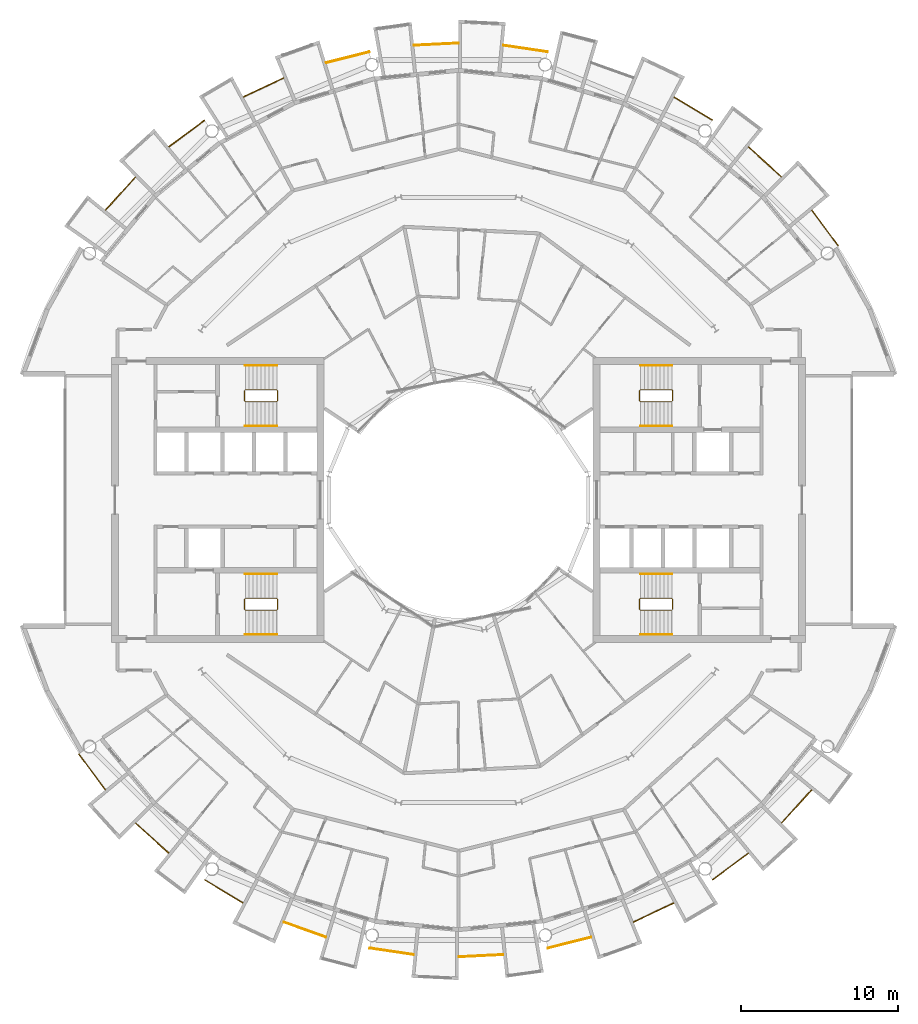
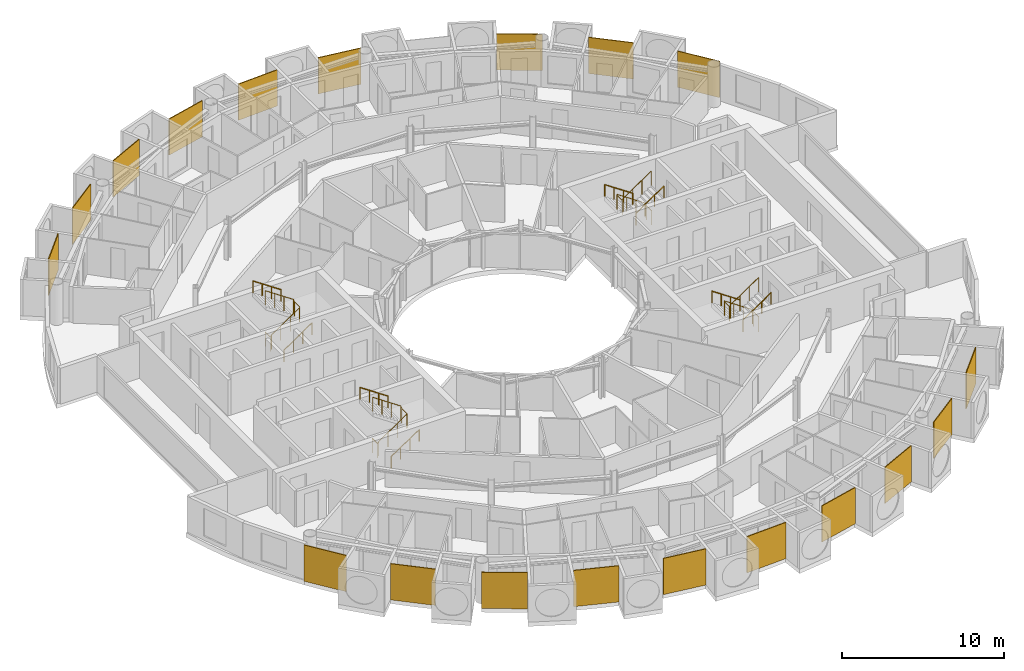
# One storey, part 28 of 29: 31 railings.
"""IFC4 building model written with IfcOpenShell, lengths in metres."""

from ifc_helpers import new_model, si_unit, direction, frame, origin, origin_2d, place, context, subcontext, project, spatial, polyline, circle, outline, extrude, material, layer, layer_set, type_object, element, save


model = new_model("IFC4")

# Units and contexts
model_context = context("Model", 3, precision=1e-05, world=origin(), true_north=direction((0.0, 1.0)))
body_context = subcontext(model_context, "Body", "Model", "MODEL_VIEW")
ifc_project = project(units=[si_unit("LENGTHUNIT", "METRE"), si_unit("AREAUNIT", "SQUARE_METRE"), si_unit("VOLUMEUNIT", "CUBIC_METRE"), si_unit("PLANEANGLEUNIT", "RADIAN"), si_unit("MASSUNIT", "GRAM", prefix="KILO")], contexts=[model_context])

# Site, building, storey
site_placement = place(None, origin())
site = spatial("IfcSite", under=ifc_project, at=site_placement, CompositionType="ELEMENT")
building_placement = place(site_placement, origin())
building = spatial("IfcBuilding", under=site, at=building_placement, Name="Maasbend Ring Residences", CompositionType="ELEMENT")
storey_placement = place(building_placement, frame((0.0, 0.0, 193.25)))
storey = spatial("IfcBuildingStorey", under=building, at=storey_placement, Name="L55", CompositionType="ELEMENT", Elevation=193.25)

# Railings
ifc_material_1 = material(Name="Pale anodised perforated aluminium", Category="aluminium")
ifc_layer = layer(ifc_material_1, 0.06005859375)
ifc_layer_set = layer_set([ifc_layer], Name="SCREEN-P")
railing_type_1 = type_object("IfcRailingType", Name="SCREEN-P", PredefinedType="GUARDRAIL", material=ifc_layer_set)
railing_1_placement = place(storey_placement, frame((0.0, 0.0, -0.030029296875)))
element("IfcRailing", 1, at=railing_1_placement, inside=storey, type_object=railing_type_1, Name="Perforated screen guard 1", PredefinedType="GUARDRAIL", context=body_context, shape_type="SweptSolid", body=[
    extrude(outline(polyline([(24.113037109375, 16.112060546875), (22.4169921875, 18.39697265625), (22.465087890625, 18.43310546875), (24.160888671875, 16.14697265625), (24.113037109375, 16.112060546875)])), origin(), (0.0, 0.0, 1.0), 2.72998046875),
])
railing_2_placement = place(storey_placement, frame((0.0, 0.0, -0.030029296875)))
element("IfcRailing", 2, at=railing_2_placement, inside=storey, type_object=railing_type_1, Name="Perforated screen guard 2", PredefinedType="GUARDRAIL", context=body_context, shape_type="SweptSolid", body=[
    extrude(outline(polyline([(20.506103515625, 20.506103515625), (18.39697265625, 22.4169921875), (18.43798828125, 22.4619140625), (20.5458984375, 20.551025390625), (20.506103515625, 20.506103515625)])), origin(), (0.0, 0.0, 1.0), 2.72998046875),
])
railing_3_placement = place(storey_placement, frame((0.0, 0.0, -0.030029296875)))
element("IfcRailing", 3, at=railing_3_placement, inside=storey, type_object=railing_type_1, Name="Perforated screen guard 3", PredefinedType="GUARDRAIL", context=body_context, shape_type="SweptSolid", body=[
    extrude(outline(polyline([(16.112060546875, 24.113037109375), (13.6708984375, 25.575927734375), (13.700927734375, 25.626953125), (16.14208984375, 24.1640625), (16.112060546875, 24.113037109375)])), origin(), (0.0, 0.0, 1.0), 2.72998046875),
])
railing_4_placement = place(storey_placement, frame((0.0, 0.0, -0.030029296875)))
element("IfcRailing", 4, at=railing_4_placement, inside=storey, type_object=railing_type_1, Name="Perforated screen guard 5", PredefinedType="GUARDRAIL", context=body_context, shape_type="SweptSolid", body=[
    extrude(outline(polyline([(5.657958984375, 28.443115234375), (2.842041015625, 28.860107421875), (2.85107421875, 28.919921875), (5.666015625, 28.501953125), (5.657958984375, 28.443115234375)])), origin(), (0.0, 0.0, 1.0), 2.72998046875),
])
railing_5_placement = place(storey_placement, frame((0.0, 0.0, -0.030029296875)))
element("IfcRailing", 5, at=railing_5_placement, inside=storey, type_object=railing_type_1, Name="Perforated screen guard 6", PredefinedType="GUARDRAIL", context=body_context, shape_type="SweptSolid", body=[
    extrude(outline(polyline([(0.0, 29.0), (-2.842041015625, 28.860107421875), (-2.844970703125, 28.919921875), (-0.0029296875, 29.06005859375), (0.0, 29.0)])), origin(), (0.0, 0.0, 1.0), 2.72998046875),
])
railing_6_placement = place(storey_placement, frame((0.0, 0.0, -0.030029296875)))
element("IfcRailing", 6, at=railing_6_placement, inside=storey, type_object=railing_type_1, Name="Perforated screen guard 7", PredefinedType="GUARDRAIL", context=body_context, shape_type="SweptSolid", body=[
    extrude(outline(polyline([(-5.657958984375, 28.443115234375), (-8.41796875, 27.7509765625), (-8.43310546875, 27.80908203125), (-5.672119140625, 28.5009765625), (-5.657958984375, 28.443115234375)])), origin(), (0.0, 0.0, 1.0), 2.72998046875),
])
railing_7_placement = place(storey_placement, frame((0.0, 0.0, -0.030029296875)))
element("IfcRailing", 7, at=railing_7_placement, inside=storey, type_object=railing_type_1, Name="Perforated screen guard 8", PredefinedType="GUARDRAIL", context=body_context, shape_type="SweptSolid", body=[
    extrude(outline(polyline([(-11.097900390625, 26.79296875), (-13.6708984375, 25.575927734375), (-13.696044921875, 25.6298828125), (-11.123046875, 26.846923828125), (-11.097900390625, 26.79296875)])), origin(), (0.0, 0.0, 1.0), 2.72998046875),
])
railing_8_placement = place(storey_placement, frame((0.0, 0.0, -0.030029296875)))
element("IfcRailing", 8, at=railing_8_placement, inside=storey, type_object=railing_type_1, Name="Perforated screen guard 9", PredefinedType="GUARDRAIL", context=body_context, shape_type="SweptSolid", body=[
    extrude(outline(polyline([(-16.112060546875, 24.113037109375), (-18.39697265625, 22.4169921875), (-18.43310546875, 22.465087890625), (-16.14697265625, 24.160888671875), (-16.112060546875, 24.113037109375)])), origin(), (0.0, 0.0, 1.0), 2.72998046875),
])
railing_9_placement = place(storey_placement, frame((0.0, 0.0, -0.030029296875)))
element("IfcRailing", 9, at=railing_9_placement, inside=storey, type_object=railing_type_1, Name="Perforated screen guard 10", PredefinedType="GUARDRAIL", context=body_context, shape_type="SweptSolid", body=[
    extrude(outline(polyline([(-20.506103515625, 20.506103515625), (-22.4169921875, 18.39697265625), (-22.4619140625, 18.43798828125), (-20.551025390625, 20.5458984375), (-20.506103515625, 20.506103515625)])), origin(), (0.0, 0.0, 1.0), 2.72998046875),
])
railing_10_placement = place(storey_placement, frame((0.0, 0.0, -0.030029296875)))
element("IfcRailing", 10, at=railing_10_placement, inside=storey, type_object=railing_type_1, Name="Perforated screen guard 1", PredefinedType="GUARDRAIL", context=body_context, shape_type="SweptSolid", body=[
    extrude(outline(polyline([(-24.113037109375, -16.112060546875), (-22.4169921875, -18.39697265625), (-22.465087890625, -18.43310546875), (-24.160888671875, -16.14697265625), (-24.113037109375, -16.112060546875)])), origin(), (0.0, 0.0, 1.0), 2.72998046875),
])
railing_11_placement = place(storey_placement, frame((0.0, 0.0, -0.030029296875)))
element("IfcRailing", 11, at=railing_11_placement, inside=storey, type_object=railing_type_1, Name="Perforated screen guard 2", PredefinedType="GUARDRAIL", context=body_context, shape_type="SweptSolid", body=[
    extrude(outline(polyline([(-20.506103515625, -20.506103515625), (-18.39697265625, -22.4169921875), (-18.43798828125, -22.4619140625), (-20.5458984375, -20.551025390625), (-20.506103515625, -20.506103515625)])), origin(), (0.0, 0.0, 1.0), 2.72998046875),
])
railing_12_placement = place(storey_placement, frame((0.0, 0.0, -0.030029296875)))
element("IfcRailing", 12, at=railing_12_placement, inside=storey, type_object=railing_type_1, Name="Perforated screen guard 3", PredefinedType="GUARDRAIL", context=body_context, shape_type="SweptSolid", body=[
    extrude(outline(polyline([(-16.112060546875, -24.113037109375), (-13.6708984375, -25.575927734375), (-13.700927734375, -25.626953125), (-16.14208984375, -24.1640625), (-16.112060546875, -24.113037109375)])), origin(), (0.0, 0.0, 1.0), 2.72998046875),
])
railing_13_placement = place(storey_placement, frame((0.0, 0.0, -0.030029296875)))
element("IfcRailing", 13, at=railing_13_placement, inside=storey, type_object=railing_type_1, Name="Perforated screen guard 4", PredefinedType="GUARDRAIL", context=body_context, shape_type="SweptSolid", body=[
    extrude(outline(polyline([(-11.097900390625, -26.79296875), (-8.41796875, -27.7509765625), (-8.43798828125, -27.80810546875), (-11.117919921875, -26.84912109375), (-11.097900390625, -26.79296875)])), origin(), (0.0, 0.0, 1.0), 2.72998046875),
])
railing_14_placement = place(storey_placement, frame((0.0, 0.0, -0.030029296875)))
element("IfcRailing", 14, at=railing_14_placement, inside=storey, type_object=railing_type_1, Name="Perforated screen guard 5", PredefinedType="GUARDRAIL", context=body_context, shape_type="SweptSolid", body=[
    extrude(outline(polyline([(-5.657958984375, -28.443115234375), (-2.842041015625, -28.860107421875), (-2.85107421875, -28.919921875), (-5.666015625, -28.501953125), (-5.657958984375, -28.443115234375)])), origin(), (0.0, 0.0, 1.0), 2.72998046875),
])
railing_15_placement = place(storey_placement, frame((0.0, 0.0, -0.030029296875)))
element("IfcRailing", 15, at=railing_15_placement, inside=storey, type_object=railing_type_1, Name="Perforated screen guard 6", PredefinedType="GUARDRAIL", context=body_context, shape_type="SweptSolid", body=[
    extrude(outline(polyline([(0.0, -29.0), (2.842041015625, -28.860107421875), (2.844970703125, -28.919921875), (0.0029296875, -29.06005859375), (0.0, -29.0)])), origin(), (0.0, 0.0, 1.0), 2.72998046875),
])
railing_16_placement = place(storey_placement, frame((0.0, 0.0, -0.030029296875)))
element("IfcRailing", 16, at=railing_16_placement, inside=storey, type_object=railing_type_1, Name="Perforated screen guard 7", PredefinedType="GUARDRAIL", context=body_context, shape_type="SweptSolid", body=[
    extrude(outline(polyline([(5.657958984375, -28.443115234375), (8.41796875, -27.7509765625), (8.43310546875, -27.80908203125), (5.672119140625, -28.5009765625), (5.657958984375, -28.443115234375)])), origin(), (0.0, 0.0, 1.0), 2.72998046875),
])
railing_17_placement = place(storey_placement, frame((0.0, 0.0, -0.030029296875)))
element("IfcRailing", 17, at=railing_17_placement, inside=storey, type_object=railing_type_1, Name="Perforated screen guard 8", PredefinedType="GUARDRAIL", context=body_context, shape_type="SweptSolid", body=[
    extrude(outline(polyline([(11.097900390625, -26.79296875), (13.6708984375, -25.575927734375), (13.696044921875, -25.6298828125), (11.123046875, -26.846923828125), (11.097900390625, -26.79296875)])), origin(), (0.0, 0.0, 1.0), 2.72998046875),
])
railing_18_placement = place(storey_placement, frame((0.0, 0.0, -0.030029296875)))
element("IfcRailing", 18, at=railing_18_placement, inside=storey, type_object=railing_type_1, Name="Perforated screen guard 9", PredefinedType="GUARDRAIL", context=body_context, shape_type="SweptSolid", body=[
    extrude(outline(polyline([(16.112060546875, -24.113037109375), (18.39697265625, -22.4169921875), (18.43310546875, -22.465087890625), (16.14697265625, -24.160888671875), (16.112060546875, -24.113037109375)])), origin(), (0.0, 0.0, 1.0), 2.72998046875),
])
railing_19_placement = place(storey_placement, frame((0.0, 0.0, -0.030029296875)))
element("IfcRailing", 19, at=railing_19_placement, inside=storey, type_object=railing_type_1, Name="Perforated screen guard 10", PredefinedType="GUARDRAIL", context=body_context, shape_type="SweptSolid", body=[
    extrude(outline(polyline([(20.506103515625, -20.506103515625), (22.4169921875, -18.39697265625), (22.4619140625, -18.43798828125), (20.551025390625, -20.5458984375), (20.506103515625, -20.506103515625)])), origin(), (0.0, 0.0, 1.0), 2.72998046875),
])
ifc_material_2 = material(Name="Stainless steel 316", Category="steel")
railing_type_2 = type_object("IfcRailingType", Name="STAIR GUARD 1100", PredefinedType="GUARDRAIL", material=ifc_material_2)
railing_20_placement = place(storey_placement, frame((13.60009765625, 6.300048828125, 0.0)))
element("IfcRailing", 20, at=railing_20_placement, inside=storey, type_object=railing_type_2, Name="L55 ST-E1 stair guard 1", PredefinedType="GUARDRAIL", context=body_context, shape_type="SweptSolid", body=[
    extrude(circle(Radius=0.02392578125, at=origin_2d()), frame((0.0, 0.0, 1.076171875), z_axis=(0.0, 1.0, 0.0), x_axis=(-1.0, 0.0, 0.0)), (0.0, 0.0, 1.0), 0.64990234375),
    extrude(circle(Radius=0.02392578125, at=origin_2d()), frame((0.0, 0.64990234375, 1.076171875), z_axis=(-0.272562526181, 0.272562526181, 0.92272386912), x_axis=(-0.707106781187, -0.707106781187, 0.0)), (0.0, 0.0, 1.0), 0.18359375),
    extrude(circle(Radius=0.02392578125, at=origin_2d()), frame((-0.050048828125, 0.699951171875, 1.24560546875), z_axis=(-0.827797584762, 0.0, 0.561026878735), x_axis=(0.0, -1.0, 0.0)), (0.0, 0.0, 1.0), 2.416015625),
    extrude(circle(Radius=0.02392578125, at=origin_2d()), frame((-2.050048828125, 0.699951171875, 2.60107421875), z_axis=(-0.707106781187, -0.707106781187, 0.0), x_axis=(0.707106781187, -0.707106781187, 0.0)), (0.0, 0.0, 1.0), 0.07080078125),
    extrude(circle(Radius=0.02392578125, at=origin_2d()), frame((-2.10009765625, 0.64990234375, 2.60107421875), z_axis=(0.0, -1.0, 0.0), x_axis=(1.0, 0.0, 0.0)), (0.0, 0.0, 1.0), 0.64990234375),
    extrude(circle(Radius=0.02392578125, at=origin_2d()), frame((-2.10009765625, 0.0, 2.60107421875), z_axis=(0.272562526181, -0.272562526181, 0.92272386912), x_axis=(0.707106781187, 0.707106781187, 0.0)), (0.0, 0.0, 1.0), 0.18359375),
    extrude(circle(Radius=0.02392578125, at=origin_2d()), frame((-2.050048828125, -0.050048828125, 2.7705078125), z_axis=(0.827750655447, 0.0, 0.561096116906), x_axis=(0.0, 1.0, 0.0)), (0.0, 0.0, 1.0), 2.416259765625),
    extrude(circle(Radius=0.02099609375, at=origin_2d()), origin(), (0.0, 0.0, 1.0), 1.052001953125),
    extrude(circle(Radius=0.02099609375, at=origin_2d()), frame((0.0, 0.64990234375, 0.0)), (0.0, 0.0, 1.0), 1.052001953125),
    extrude(circle(Radius=0.02099609375, at=origin_2d()), frame((-0.050048828125, 0.699951171875, 0.16943359375)), (0.0, 0.0, 1.0), 1.052001953125),
    extrude(circle(Radius=0.02099609375, at=origin_2d()), frame((-0.716796875, 0.699951171875, 0.621337890625)), (0.0, 0.0, 1.0), 1.052001953125),
    extrude(circle(Radius=0.02099609375, at=origin_2d()), frame((-1.38330078125, 0.699951171875, 1.072998046875)), (0.0, 0.0, 1.0), 1.052001953125),
    extrude(circle(Radius=0.02099609375, at=origin_2d()), frame((-2.050048828125, 0.699951171875, 1.52490234375)), (0.0, 0.0, 1.0), 1.052001953125),
    extrude(circle(Radius=0.02099609375, at=origin_2d()), frame((-2.10009765625, 0.64990234375, 1.52490234375)), (0.0, 0.0, 1.0), 1.052001953125),
    extrude(circle(Radius=0.02099609375, at=origin_2d()), frame((-2.10009765625, 0.0, 1.52490234375)), (0.0, 0.0, 1.0), 1.052001953125),
    extrude(circle(Radius=0.02099609375, at=origin_2d()), frame((-2.050048828125, -0.050048828125, 1.6943359375)), (0.0, 0.0, 1.0), 1.052001953125),
    extrude(circle(Radius=0.02099609375, at=origin_2d()), frame((-1.38330078125, -0.050048828125, 2.146240234375)), (0.0, 0.0, 1.0), 1.052001953125),
    extrude(circle(Radius=0.02099609375, at=origin_2d()), frame((-0.716796875, -0.050048828125, 2.59814453125)), (0.0, 0.0, 1.0), 1.052001953125),
    extrude(circle(Radius=0.02099609375, at=origin_2d()), frame((-0.050048828125, -0.050048828125, 3.050048828125)), (0.0, 0.0, 1.0), 1.052001953125),
])
railing_21_placement = place(storey_placement, frame((13.60009765625, -6.949951171875, 0.0)))
element("IfcRailing", 21, at=railing_21_placement, inside=storey, type_object=railing_type_2, Name="L55 ST-E2 stair guard 1", PredefinedType="GUARDRAIL", context=body_context, shape_type="SweptSolid", body=[
    extrude(circle(Radius=0.02392578125, at=origin_2d()), frame((0.0, 0.0, 1.076171875), z_axis=(0.0, 1.0, 0.0), x_axis=(-1.0, 0.0, 0.0)), (0.0, 0.0, 1.0), 0.64990234375),
    extrude(circle(Radius=0.02392578125, at=origin_2d()), frame((0.0, 0.64990234375, 1.076171875), z_axis=(-0.272562526181, 0.272562526181, 0.92272386912), x_axis=(-0.707106781187, -0.707106781187, 0.0)), (0.0, 0.0, 1.0), 0.18359375),
    extrude(circle(Radius=0.02392578125, at=origin_2d()), frame((-0.050048828125, 0.699951171875, 1.24560546875), z_axis=(-0.827797584762, 0.0, 0.561026878735), x_axis=(0.0, -1.0, 0.0)), (0.0, 0.0, 1.0), 2.416015625),
    extrude(circle(Radius=0.02392578125, at=origin_2d()), frame((-2.050048828125, 0.699951171875, 2.60107421875), z_axis=(-0.707106781187, -0.707106781187, 0.0), x_axis=(0.707106781187, -0.707106781187, 0.0)), (0.0, 0.0, 1.0), 0.07080078125),
    extrude(circle(Radius=0.02392578125, at=origin_2d()), frame((-2.10009765625, 0.64990234375, 2.60107421875), z_axis=(0.0, -1.0, 0.0), x_axis=(1.0, 0.0, 0.0)), (0.0, 0.0, 1.0), 0.64990234375),
    extrude(circle(Radius=0.02392578125, at=origin_2d()), frame((-2.10009765625, 0.0, 2.60107421875), z_axis=(0.272562526181, -0.272562526181, 0.92272386912), x_axis=(0.707106781187, 0.707106781187, 0.0)), (0.0, 0.0, 1.0), 0.18359375),
    extrude(circle(Radius=0.02392578125, at=origin_2d()), frame((-2.050048828125, -0.050048828125, 2.7705078125), z_axis=(0.827750655447, 0.0, 0.561096116906), x_axis=(0.0, 1.0, 0.0)), (0.0, 0.0, 1.0), 2.416259765625),
    extrude(circle(Radius=0.02099609375, at=origin_2d()), origin(), (0.0, 0.0, 1.0), 1.052001953125),
    extrude(circle(Radius=0.02099609375, at=origin_2d()), frame((0.0, 0.64990234375, 0.0)), (0.0, 0.0, 1.0), 1.052001953125),
    extrude(circle(Radius=0.02099609375, at=origin_2d()), frame((-0.050048828125, 0.699951171875, 0.16943359375)), (0.0, 0.0, 1.0), 1.052001953125),
    extrude(circle(Radius=0.02099609375, at=origin_2d()), frame((-0.716796875, 0.699951171875, 0.621337890625)), (0.0, 0.0, 1.0), 1.052001953125),
    extrude(circle(Radius=0.02099609375, at=origin_2d()), frame((-1.38330078125, 0.699951171875, 1.072998046875)), (0.0, 0.0, 1.0), 1.052001953125),
    extrude(circle(Radius=0.02099609375, at=origin_2d()), frame((-2.050048828125, 0.699951171875, 1.52490234375)), (0.0, 0.0, 1.0), 1.052001953125),
    extrude(circle(Radius=0.02099609375, at=origin_2d()), frame((-2.10009765625, 0.64990234375, 1.52490234375)), (0.0, 0.0, 1.0), 1.052001953125),
    extrude(circle(Radius=0.02099609375, at=origin_2d()), frame((-2.10009765625, 0.0, 1.52490234375)), (0.0, 0.0, 1.0), 1.052001953125),
    extrude(circle(Radius=0.02099609375, at=origin_2d()), frame((-2.050048828125, -0.050048828125, 1.6943359375)), (0.0, 0.0, 1.0), 1.052001953125),
    extrude(circle(Radius=0.02099609375, at=origin_2d()), frame((-1.38330078125, -0.050048828125, 2.146240234375)), (0.0, 0.0, 1.0), 1.052001953125),
    extrude(circle(Radius=0.02099609375, at=origin_2d()), frame((-0.716796875, -0.050048828125, 2.59814453125)), (0.0, 0.0, 1.0), 1.052001953125),
    extrude(circle(Radius=0.02099609375, at=origin_2d()), frame((-0.050048828125, -0.050048828125, 3.050048828125)), (0.0, 0.0, 1.0), 1.052001953125),
])
railing_22_placement = place(storey_placement, frame((-13.60009765625, -6.300048828125, 0.0)))
element("IfcRailing", 22, at=railing_22_placement, inside=storey, type_object=railing_type_2, Name="L55 ST-W1 stair guard 1", PredefinedType="GUARDRAIL", context=body_context, shape_type="SweptSolid", body=[
    extrude(circle(Radius=0.02392578125, at=origin_2d()), frame((0.0, 0.0, 1.076171875), z_axis=(0.0, -1.0, 0.0), x_axis=(1.0, 0.0, 0.0)), (0.0, 0.0, 1.0), 0.64990234375),
    extrude(circle(Radius=0.02392578125, at=origin_2d()), frame((0.0, -0.64990234375, 1.076171875), z_axis=(0.272562526181, -0.272562526181, 0.92272386912), x_axis=(0.707106781187, 0.707106781187, 0.0)), (0.0, 0.0, 1.0), 0.18359375),
    extrude(circle(Radius=0.02392578125, at=origin_2d()), frame((0.050048828125, -0.699951171875, 1.24560546875), z_axis=(0.827797584762, 0.0, 0.561026878735), x_axis=(0.0, 1.0, 0.0)), (0.0, 0.0, 1.0), 2.416015625),
    extrude(circle(Radius=0.02392578125, at=origin_2d()), frame((2.050048828125, -0.699951171875, 2.60107421875), z_axis=(0.707106781187, 0.707106781187, 0.0), x_axis=(-0.707106781187, 0.707106781187, 0.0)), (0.0, 0.0, 1.0), 0.07080078125),
    extrude(circle(Radius=0.02392578125, at=origin_2d()), frame((2.10009765625, -0.64990234375, 2.60107421875), z_axis=(0.0, 1.0, 0.0), x_axis=(-1.0, 0.0, 0.0)), (0.0, 0.0, 1.0), 0.64990234375),
    extrude(circle(Radius=0.02392578125, at=origin_2d()), frame((2.10009765625, 0.0, 2.60107421875), z_axis=(-0.272562526181, 0.272562526181, 0.92272386912), x_axis=(-0.707106781187, -0.707106781187, 0.0)), (0.0, 0.0, 1.0), 0.18359375),
    extrude(circle(Radius=0.02392578125, at=origin_2d()), frame((2.050048828125, 0.050048828125, 2.7705078125), z_axis=(-0.827750655447, 0.0, 0.561096116906), x_axis=(0.0, -1.0, 0.0)), (0.0, 0.0, 1.0), 2.416259765625),
    extrude(circle(Radius=0.02099609375, at=origin_2d()), origin(), (0.0, 0.0, 1.0), 1.052001953125),
    extrude(circle(Radius=0.02099609375, at=origin_2d()), frame((0.0, -0.64990234375, 0.0)), (0.0, 0.0, 1.0), 1.052001953125),
    extrude(circle(Radius=0.02099609375, at=origin_2d()), frame((0.050048828125, -0.699951171875, 0.16943359375)), (0.0, 0.0, 1.0), 1.052001953125),
    extrude(circle(Radius=0.02099609375, at=origin_2d()), frame((0.716796875, -0.699951171875, 0.621337890625)), (0.0, 0.0, 1.0), 1.052001953125),
    extrude(circle(Radius=0.02099609375, at=origin_2d()), frame((1.38330078125, -0.699951171875, 1.072998046875)), (0.0, 0.0, 1.0), 1.052001953125),
    extrude(circle(Radius=0.02099609375, at=origin_2d()), frame((2.050048828125, -0.699951171875, 1.52490234375)), (0.0, 0.0, 1.0), 1.052001953125),
    extrude(circle(Radius=0.02099609375, at=origin_2d()), frame((2.10009765625, -0.64990234375, 1.52490234375)), (0.0, 0.0, 1.0), 1.052001953125),
    extrude(circle(Radius=0.02099609375, at=origin_2d()), frame((2.10009765625, 0.0, 1.52490234375)), (0.0, 0.0, 1.0), 1.052001953125),
    extrude(circle(Radius=0.02099609375, at=origin_2d()), frame((2.050048828125, 0.050048828125, 1.6943359375)), (0.0, 0.0, 1.0), 1.052001953125),
    extrude(circle(Radius=0.02099609375, at=origin_2d()), frame((1.38330078125, 0.050048828125, 2.146240234375)), (0.0, 0.0, 1.0), 1.052001953125),
    extrude(circle(Radius=0.02099609375, at=origin_2d()), frame((0.716796875, 0.050048828125, 2.59814453125)), (0.0, 0.0, 1.0), 1.052001953125),
    extrude(circle(Radius=0.02099609375, at=origin_2d()), frame((0.050048828125, 0.050048828125, 3.050048828125)), (0.0, 0.0, 1.0), 1.052001953125),
])
railing_23_placement = place(storey_placement, frame((-13.60009765625, 6.949951171875, 0.0)))
element("IfcRailing", 23, at=railing_23_placement, inside=storey, type_object=railing_type_2, Name="L55 ST-W2 stair guard 1", PredefinedType="GUARDRAIL", context=body_context, shape_type="SweptSolid", body=[
    extrude(circle(Radius=0.02392578125, at=origin_2d()), frame((0.0, 0.0, 1.076171875), z_axis=(0.0, -1.0, 0.0), x_axis=(1.0, 0.0, 0.0)), (0.0, 0.0, 1.0), 0.64990234375),
    extrude(circle(Radius=0.02392578125, at=origin_2d()), frame((0.0, -0.64990234375, 1.076171875), z_axis=(0.272562526181, -0.272562526181, 0.92272386912), x_axis=(0.707106781187, 0.707106781187, 0.0)), (0.0, 0.0, 1.0), 0.18359375),
    extrude(circle(Radius=0.02392578125, at=origin_2d()), frame((0.050048828125, -0.699951171875, 1.24560546875), z_axis=(0.827797584762, 0.0, 0.561026878735), x_axis=(0.0, 1.0, 0.0)), (0.0, 0.0, 1.0), 2.416015625),
    extrude(circle(Radius=0.02392578125, at=origin_2d()), frame((2.050048828125, -0.699951171875, 2.60107421875), z_axis=(0.707106781187, 0.707106781187, 0.0), x_axis=(-0.707106781187, 0.707106781187, 0.0)), (0.0, 0.0, 1.0), 0.07080078125),
    extrude(circle(Radius=0.02392578125, at=origin_2d()), frame((2.10009765625, -0.64990234375, 2.60107421875), z_axis=(0.0, 1.0, 0.0), x_axis=(-1.0, 0.0, 0.0)), (0.0, 0.0, 1.0), 0.64990234375),
    extrude(circle(Radius=0.02392578125, at=origin_2d()), frame((2.10009765625, 0.0, 2.60107421875), z_axis=(-0.272562526181, 0.272562526181, 0.92272386912), x_axis=(-0.707106781187, -0.707106781187, 0.0)), (0.0, 0.0, 1.0), 0.18359375),
    extrude(circle(Radius=0.02392578125, at=origin_2d()), frame((2.050048828125, 0.050048828125, 2.7705078125), z_axis=(-0.827750655447, 0.0, 0.561096116906), x_axis=(0.0, -1.0, 0.0)), (0.0, 0.0, 1.0), 2.416259765625),
    extrude(circle(Radius=0.02099609375, at=origin_2d()), origin(), (0.0, 0.0, 1.0), 1.052001953125),
    extrude(circle(Radius=0.02099609375, at=origin_2d()), frame((0.0, -0.64990234375, 0.0)), (0.0, 0.0, 1.0), 1.052001953125),
    extrude(circle(Radius=0.02099609375, at=origin_2d()), frame((0.050048828125, -0.699951171875, 0.16943359375)), (0.0, 0.0, 1.0), 1.052001953125),
    extrude(circle(Radius=0.02099609375, at=origin_2d()), frame((0.716796875, -0.699951171875, 0.621337890625)), (0.0, 0.0, 1.0), 1.052001953125),
    extrude(circle(Radius=0.02099609375, at=origin_2d()), frame((1.38330078125, -0.699951171875, 1.072998046875)), (0.0, 0.0, 1.0), 1.052001953125),
    extrude(circle(Radius=0.02099609375, at=origin_2d()), frame((2.050048828125, -0.699951171875, 1.52490234375)), (0.0, 0.0, 1.0), 1.052001953125),
    extrude(circle(Radius=0.02099609375, at=origin_2d()), frame((2.10009765625, -0.64990234375, 1.52490234375)), (0.0, 0.0, 1.0), 1.052001953125),
    extrude(circle(Radius=0.02099609375, at=origin_2d()), frame((2.10009765625, 0.0, 1.52490234375)), (0.0, 0.0, 1.0), 1.052001953125),
    extrude(circle(Radius=0.02099609375, at=origin_2d()), frame((2.050048828125, 0.050048828125, 1.6943359375)), (0.0, 0.0, 1.0), 1.052001953125),
    extrude(circle(Radius=0.02099609375, at=origin_2d()), frame((1.38330078125, 0.050048828125, 2.146240234375)), (0.0, 0.0, 1.0), 1.052001953125),
    extrude(circle(Radius=0.02099609375, at=origin_2d()), frame((0.716796875, 0.050048828125, 2.59814453125)), (0.0, 0.0, 1.0), 1.052001953125),
    extrude(circle(Radius=0.02099609375, at=origin_2d()), frame((0.050048828125, 0.050048828125, 3.050048828125)), (0.0, 0.0, 1.0), 1.052001953125),
])
ifc_material_3 = material(Name="Stainless steel 316", Category="steel")
railing_type_3 = type_object("IfcRailingType", Name="STAIR HANDRAIL 900", PredefinedType="HANDRAIL", material=ifc_material_3)
railing_24_placement = place(storey_placement, frame((13.550048828125, 8.550048828125, 0.16943359375)))
element("IfcRailing", 24, at=railing_24_placement, inside=storey, type_object=railing_type_3, Name="L55 ST-E1 stair handrail 1", PredefinedType="HANDRAIL", context=body_context, shape_type="SweptSolid", body=[
    extrude(circle(Radius=0.02392578125, at=origin_2d()), frame((0.0, 0.0, 0.8759765625), z_axis=(-0.827797584762, 0.0, 0.561026878735), x_axis=(0.0, -1.0, 0.0)), (0.0, 0.0, 1.0), 2.416015625),
    extrude(circle(Radius=0.02099609375, at=origin_2d()), origin(), (0.0, 0.0, 1.0), 0.851806640625),
    extrude(circle(Radius=0.02099609375, at=origin_2d()), frame((-0.666748046875, 0.0, 0.451904296875)), (0.0, 0.0, 1.0), 0.851806640625),
    extrude(circle(Radius=0.02099609375, at=origin_2d()), frame((-1.333251953125, 0.0, 0.903564453125)), (0.0, 0.0, 1.0), 0.851806640625),
    extrude(circle(Radius=0.02099609375, at=origin_2d()), frame((-2.0, 0.0, 1.35546875)), (0.0, 0.0, 1.0), 0.851806640625),
])
railing_25_placement = place(storey_placement, frame((11.550048828125, 4.699951171875, 1.6943359375)))
element("IfcRailing", 25, at=railing_25_placement, inside=storey, type_object=railing_type_3, Name="L55 ST-E1 stair handrail 2", PredefinedType="HANDRAIL", context=body_context, shape_type="SweptSolid", body=[
    extrude(circle(Radius=0.02392578125, at=origin_2d()), frame((0.0, 0.0, 0.8759765625), z_axis=(0.827750655447, 0.0, 0.561096116906), x_axis=(0.0, 1.0, 0.0)), (0.0, 0.0, 1.0), 2.416259765625),
    extrude(circle(Radius=0.02099609375, at=origin_2d()), origin(), (0.0, 0.0, 1.0), 0.851806640625),
    extrude(circle(Radius=0.02099609375, at=origin_2d()), frame((0.666748046875, 0.0, 0.451904296875)), (0.0, 0.0, 1.0), 0.851806640625),
    extrude(circle(Radius=0.02099609375, at=origin_2d()), frame((1.333251953125, 0.0, 0.90380859375)), (0.0, 0.0, 1.0), 0.851806640625),
    extrude(circle(Radius=0.02099609375, at=origin_2d()), frame((2.0, 0.0, 1.355712890625)), (0.0, 0.0, 1.0), 0.851806640625),
])
railing_26_placement = place(storey_placement, frame((13.550048828125, -4.699951171875, 0.16943359375)))
element("IfcRailing", 26, at=railing_26_placement, inside=storey, type_object=railing_type_3, Name="L55 ST-E2 stair handrail 1", PredefinedType="HANDRAIL", context=body_context, shape_type="SweptSolid", body=[
    extrude(circle(Radius=0.02392578125, at=origin_2d()), frame((0.0, 0.0, 0.8759765625), z_axis=(-0.827797584762, 0.0, 0.561026878735), x_axis=(0.0, -1.0, 0.0)), (0.0, 0.0, 1.0), 2.416015625),
    extrude(circle(Radius=0.02099609375, at=origin_2d()), origin(), (0.0, 0.0, 1.0), 0.851806640625),
    extrude(circle(Radius=0.02099609375, at=origin_2d()), frame((-0.666748046875, 0.0, 0.451904296875)), (0.0, 0.0, 1.0), 0.851806640625),
    extrude(circle(Radius=0.02099609375, at=origin_2d()), frame((-1.333251953125, 0.0, 0.903564453125)), (0.0, 0.0, 1.0), 0.851806640625),
    extrude(circle(Radius=0.02099609375, at=origin_2d()), frame((-2.0, 0.0, 1.35546875)), (0.0, 0.0, 1.0), 0.851806640625),
])
railing_27_placement = place(storey_placement, frame((11.550048828125, -8.550048828125, 1.6943359375)))
element("IfcRailing", 27, at=railing_27_placement, inside=storey, type_object=railing_type_3, Name="L55 ST-E2 stair handrail 2", PredefinedType="HANDRAIL", context=body_context, shape_type="SweptSolid", body=[
    extrude(circle(Radius=0.02392578125, at=origin_2d()), frame((0.0, 0.0, 0.8759765625), z_axis=(0.827750655447, 0.0, 0.561096116906), x_axis=(0.0, 1.0, 0.0)), (0.0, 0.0, 1.0), 2.416259765625),
    extrude(circle(Radius=0.02099609375, at=origin_2d()), origin(), (0.0, 0.0, 1.0), 0.851806640625),
    extrude(circle(Radius=0.02099609375, at=origin_2d()), frame((0.666748046875, 0.0, 0.451904296875)), (0.0, 0.0, 1.0), 0.851806640625),
    extrude(circle(Radius=0.02099609375, at=origin_2d()), frame((1.333251953125, 0.0, 0.90380859375)), (0.0, 0.0, 1.0), 0.851806640625),
    extrude(circle(Radius=0.02099609375, at=origin_2d()), frame((2.0, 0.0, 1.355712890625)), (0.0, 0.0, 1.0), 0.851806640625),
])
railing_28_placement = place(storey_placement, frame((-13.550048828125, -8.550048828125, 0.16943359375)))
element("IfcRailing", 28, at=railing_28_placement, inside=storey, type_object=railing_type_3, Name="L55 ST-W1 stair handrail 1", PredefinedType="HANDRAIL", context=body_context, shape_type="SweptSolid", body=[
    extrude(circle(Radius=0.02392578125, at=origin_2d()), frame((0.0, 0.0, 0.8759765625), z_axis=(0.827797584762, 0.0, 0.561026878735), x_axis=(0.0, 1.0, 0.0)), (0.0, 0.0, 1.0), 2.416015625),
    extrude(circle(Radius=0.02099609375, at=origin_2d()), origin(), (0.0, 0.0, 1.0), 0.851806640625),
    extrude(circle(Radius=0.02099609375, at=origin_2d()), frame((0.666748046875, 0.0, 0.451904296875)), (0.0, 0.0, 1.0), 0.851806640625),
    extrude(circle(Radius=0.02099609375, at=origin_2d()), frame((1.333251953125, 0.0, 0.903564453125)), (0.0, 0.0, 1.0), 0.851806640625),
    extrude(circle(Radius=0.02099609375, at=origin_2d()), frame((2.0, 0.0, 1.35546875)), (0.0, 0.0, 1.0), 0.851806640625),
])
railing_29_placement = place(storey_placement, frame((-11.550048828125, -4.699951171875, 1.6943359375)))
element("IfcRailing", 29, at=railing_29_placement, inside=storey, type_object=railing_type_3, Name="L55 ST-W1 stair handrail 2", PredefinedType="HANDRAIL", context=body_context, shape_type="SweptSolid", body=[
    extrude(circle(Radius=0.02392578125, at=origin_2d()), frame((0.0, 0.0, 0.8759765625), z_axis=(-0.827750655447, 0.0, 0.561096116906), x_axis=(0.0, -1.0, 0.0)), (0.0, 0.0, 1.0), 2.416259765625),
    extrude(circle(Radius=0.02099609375, at=origin_2d()), origin(), (0.0, 0.0, 1.0), 0.851806640625),
    extrude(circle(Radius=0.02099609375, at=origin_2d()), frame((-0.666748046875, 0.0, 0.451904296875)), (0.0, 0.0, 1.0), 0.851806640625),
    extrude(circle(Radius=0.02099609375, at=origin_2d()), frame((-1.333251953125, 0.0, 0.90380859375)), (0.0, 0.0, 1.0), 0.851806640625),
    extrude(circle(Radius=0.02099609375, at=origin_2d()), frame((-2.0, 0.0, 1.355712890625)), (0.0, 0.0, 1.0), 0.851806640625),
])
railing_30_placement = place(storey_placement, frame((-13.550048828125, 4.699951171875, 0.16943359375)))
element("IfcRailing", 30, at=railing_30_placement, inside=storey, type_object=railing_type_3, Name="L55 ST-W2 stair handrail 1", PredefinedType="HANDRAIL", context=body_context, shape_type="SweptSolid", body=[
    extrude(circle(Radius=0.02392578125, at=origin_2d()), frame((0.0, 0.0, 0.8759765625), z_axis=(0.827797584762, 0.0, 0.561026878735), x_axis=(0.0, 1.0, 0.0)), (0.0, 0.0, 1.0), 2.416015625),
    extrude(circle(Radius=0.02099609375, at=origin_2d()), origin(), (0.0, 0.0, 1.0), 0.851806640625),
    extrude(circle(Radius=0.02099609375, at=origin_2d()), frame((0.666748046875, 0.0, 0.451904296875)), (0.0, 0.0, 1.0), 0.851806640625),
    extrude(circle(Radius=0.02099609375, at=origin_2d()), frame((1.333251953125, 0.0, 0.903564453125)), (0.0, 0.0, 1.0), 0.851806640625),
    extrude(circle(Radius=0.02099609375, at=origin_2d()), frame((2.0, 0.0, 1.35546875)), (0.0, 0.0, 1.0), 0.851806640625),
])
railing_31_placement = place(storey_placement, frame((-11.550048828125, 8.550048828125, 1.6943359375)))
element("IfcRailing", 31, at=railing_31_placement, inside=storey, type_object=railing_type_3, Name="L55 ST-W2 stair handrail 2", PredefinedType="HANDRAIL", context=body_context, shape_type="SweptSolid", body=[
    extrude(circle(Radius=0.02392578125, at=origin_2d()), frame((0.0, 0.0, 0.8759765625), z_axis=(-0.827750655447, 0.0, 0.561096116906), x_axis=(0.0, -1.0, 0.0)), (0.0, 0.0, 1.0), 2.416259765625),
    extrude(circle(Radius=0.02099609375, at=origin_2d()), origin(), (0.0, 0.0, 1.0), 0.851806640625),
    extrude(circle(Radius=0.02099609375, at=origin_2d()), frame((-0.666748046875, 0.0, 0.451904296875)), (0.0, 0.0, 1.0), 0.851806640625),
    extrude(circle(Radius=0.02099609375, at=origin_2d()), frame((-1.333251953125, 0.0, 0.90380859375)), (0.0, 0.0, 1.0), 0.851806640625),
    extrude(circle(Radius=0.02099609375, at=origin_2d()), frame((-2.0, 0.0, 1.355712890625)), (0.0, 0.0, 1.0), 0.851806640625),
])

save(model, "model.ifc")
